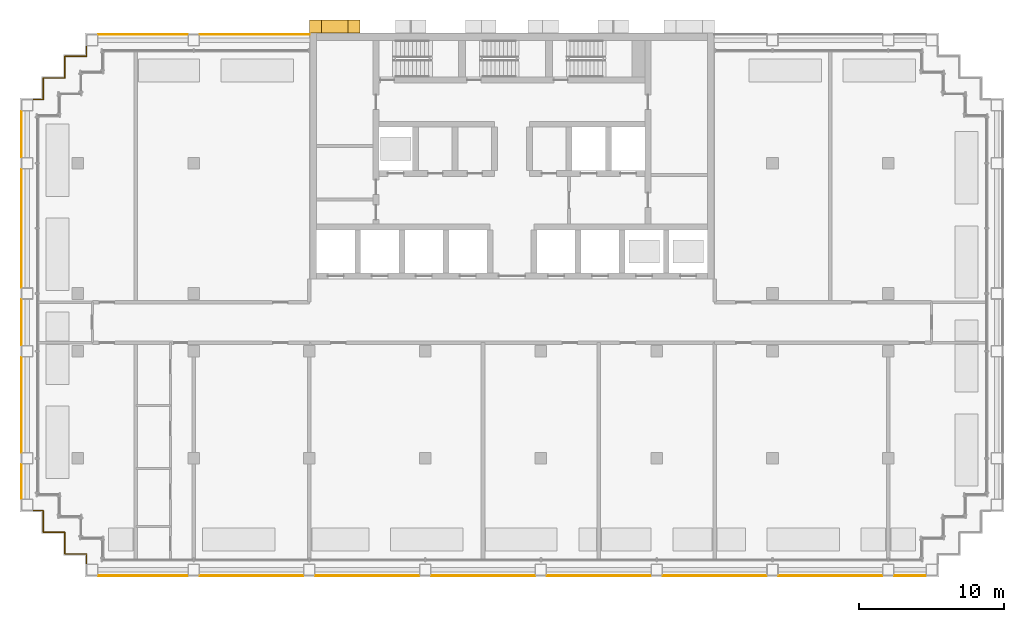
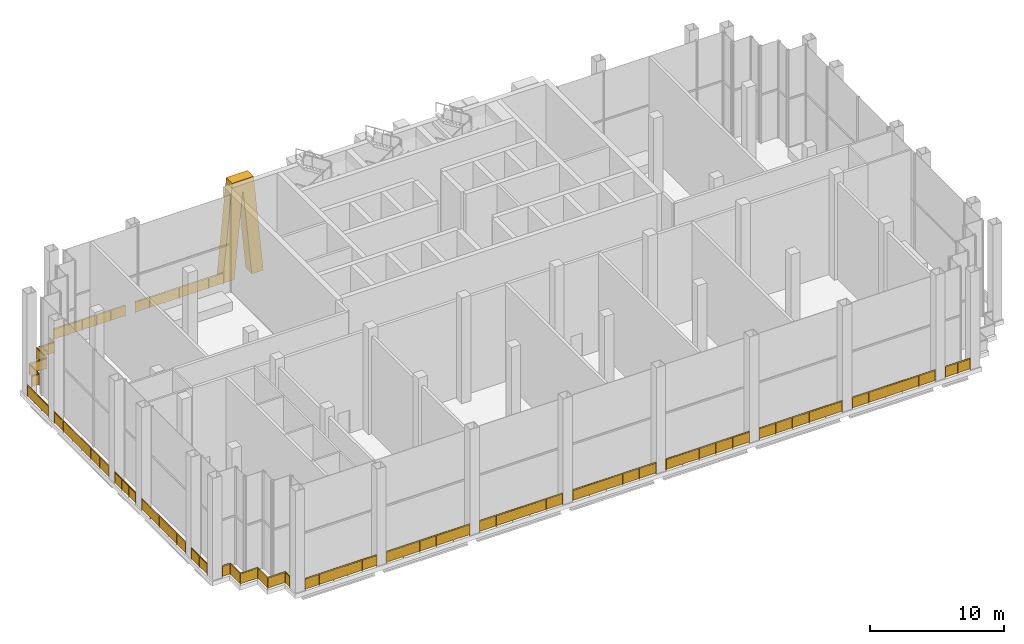
# One storey, part 12 of 16: 17 railings, 1 shading device.
"""IFC4 building model written with IfcOpenShell, lengths in metres."""

from ifc_helpers import new_model, si_unit, direction, frame, origin, origin_2d, place, context, subcontext, project, spatial, polyline, rectangle, circle, outline, extrude, material, layer, layer_set, type_object, element, save


model = new_model("IFC4")

# Units and contexts
model_context = context("Model", 3, precision=1e-05, world=origin(), true_north=direction((0.0, 1.0)))
body_context = subcontext(model_context, "Body", "Model", "MODEL_VIEW")
ifc_project = project(units=[si_unit("LENGTHUNIT", "METRE"), si_unit("AREAUNIT", "SQUARE_METRE"), si_unit("VOLUMEUNIT", "CUBIC_METRE"), si_unit("PLANEANGLEUNIT", "RADIAN"), si_unit("MASSUNIT", "GRAM", prefix="KILO")], contexts=[model_context])

# Site, building, storey
site_placement = place(None, origin())
site = spatial("IfcSite", under=ifc_project, at=site_placement, CompositionType="ELEMENT")
building_placement = place(site_placement, origin())
building = spatial("IfcBuilding", under=site, at=building_placement, Name="Vidyagriha Tower", CompositionType="ELEMENT")
storey_placement = place(building_placement, frame((0.0, 0.0, 151.800048828125)))
storey = spatial("IfcBuildingStorey", under=building, at=storey_placement, Name="L40", CompositionType="ELEMENT", Elevation=151.800048828125)

# Shading device
ifc_material_1 = material(Name="Precast concrete C40/50 with brick facing", Category="concrete")
ifc_layer = layer(ifc_material_1, 1.0)
ifc_layer_set = layer_set([ifc_layer], Name="Precast concrete C40/50 with brick facing")
shading_device_type = type_object("IfcShadingDeviceType", Name="Brick-faced rear rib forking 8 degrees", PredefinedType="USERDEFINED", material=ifc_layer_set)
shading_device_placement = place(storey_placement, frame((-10.5, 20.449951171875, 0.0), z_axis=(0.0, 0.0, 1.0), x_axis=(-1.0, 0.0, 0.0)))
element("IfcShadingDevice", 1, at=shading_device_placement, inside=storey, type_object=shading_device_type, Name="Rear rib fork L40 R08.5a", ObjectType="BLADE FIN", PredefinedType="USERDEFINED", context=body_context, shape_type="SweptSolid", body=[
    extrude(outline(polyline([(1.0, 0.0), (1.75, 7.919921875), (2.5, 0.0), (3.5, 0.0), (2.666748046875, 8.800048828125), (0.833251953125, 8.800048828125), (0.0, 0.0), (1.0, 0.0)])), frame((0.0, 0.449951171875, 0.0), z_axis=(0.0, -1.0, 0.0), x_axis=(1.0, 0.0, 0.0)), (0.0, 0.0, 1.0), 0.89990234375),
])

# Railings
ifc_material_2 = material(Name="Steel ASTM A500 Grade C black painted", Category="steel")
railing_type = type_object("IfcRailingType", Name="Gallery guard 1100", PredefinedType="GUARDRAIL", material=ifc_material_2)
railing_1_placement = place(storey_placement, frame((-33.89990234375, -12.169921875, 0.0)))
element("IfcRailing", 2, at=railing_1_placement, inside=storey, type_object=railing_type, Name="Gallery guard L40 1", PredefinedType="GUARDRAIL", context=body_context, shape_type="SweptSolid", body=[
    extrude(circle(Radius=0.02490234375, at=origin_2d()), frame((0.0, 0.0, 1.0751953125), z_axis=(0.0, 1.0, 0.0), x_axis=(-1.0, 0.0, 0.0)), (0.0, 0.0, 1.0), 2.33984375),
    extrude(circle(Radius=0.02001953125, at=origin_2d()), origin(), (0.0, 0.0, 1.0), 1.050048828125),
    extrude(circle(Radius=0.02001953125, at=origin_2d()), frame((0.0, 1.169921875, 0.0)), (0.0, 0.0, 1.0), 1.050048828125),
    extrude(circle(Radius=0.02001953125, at=origin_2d()), frame((0.0, 2.33984375, 0.0)), (0.0, 0.0, 1.0), 1.050048828125),
    extrude(rectangle(XDim=0.010009765625, YDim=0.900146484375, at=origin_2d()), frame((0.0, 0.0, 0.550048828125), z_axis=(0.0, 1.0, 0.0), x_axis=(-1.0, 0.0, 0.0)), (0.0, 0.0, 1.0), 2.33984375),
])
railing_2_placement = place(storey_placement, frame((-33.89990234375, -8.969970703125, 0.0)))
element("IfcRailing", 3, at=railing_2_placement, inside=storey, type_object=railing_type, Name="Gallery guard L40 2", PredefinedType="GUARDRAIL", context=body_context, shape_type="SweptSolid", body=[
    extrude(circle(Radius=0.02490234375, at=origin_2d()), frame((0.0, 0.0, 1.0751953125), z_axis=(0.0, 1.0, 0.0), x_axis=(-1.0, 0.0, 0.0)), (0.0, 0.0, 1.0), 6.5400390625),
    extrude(circle(Radius=0.02001953125, at=origin_2d()), origin(), (0.0, 0.0, 1.0), 1.050048828125),
    extrude(circle(Radius=0.02001953125, at=origin_2d()), frame((0.0, 1.30810546875, 0.0)), (0.0, 0.0, 1.0), 1.050048828125),
    extrude(circle(Radius=0.02001953125, at=origin_2d()), frame((0.0, 2.615966796875, 0.0)), (0.0, 0.0, 1.0), 1.050048828125),
    extrude(circle(Radius=0.02001953125, at=origin_2d()), frame((0.0, 3.924072265625, 0.0)), (0.0, 0.0, 1.0), 1.050048828125),
    extrude(circle(Radius=0.02001953125, at=origin_2d()), frame((0.0, 5.23193359375, 0.0)), (0.0, 0.0, 1.0), 1.050048828125),
    extrude(circle(Radius=0.02001953125, at=origin_2d()), frame((0.0, 6.5400390625, 0.0)), (0.0, 0.0, 1.0), 1.050048828125),
    extrude(rectangle(XDim=0.010009765625, YDim=0.900146484375, at=origin_2d()), frame((0.0, 0.0, 0.550048828125), z_axis=(0.0, 1.0, 0.0), x_axis=(-1.0, 0.0, 0.0)), (0.0, 0.0, 1.0), 6.5400390625),
])
railing_3_placement = place(storey_placement, frame((-33.89990234375, -1.570068359375, 0.0)))
element("IfcRailing", 4, at=railing_3_placement, inside=storey, type_object=railing_type, Name="Gallery guard L40 3", PredefinedType="GUARDRAIL", context=body_context, shape_type="SweptSolid", body=[
    extrude(circle(Radius=0.02490234375, at=origin_2d()), frame((0.0, 0.0, 1.0751953125), z_axis=(0.0, 1.0, 0.0), x_axis=(-1.0, 0.0, 0.0)), (0.0, 0.0, 1.0), 3.14013671875),
    extrude(circle(Radius=0.02001953125, at=origin_2d()), origin(), (0.0, 0.0, 1.0), 1.050048828125),
    extrude(circle(Radius=0.02001953125, at=origin_2d()), frame((0.0, 1.046630859375, 0.0)), (0.0, 0.0, 1.0), 1.050048828125),
    extrude(circle(Radius=0.02001953125, at=origin_2d()), frame((0.0, 2.093505859375, 0.0)), (0.0, 0.0, 1.0), 1.050048828125),
    extrude(circle(Radius=0.02001953125, at=origin_2d()), frame((0.0, 3.14013671875, 0.0)), (0.0, 0.0, 1.0), 1.050048828125),
    extrude(rectangle(XDim=0.010009765625, YDim=0.900146484375, at=origin_2d()), frame((0.0, 0.0, 0.550048828125), z_axis=(0.0, 1.0, 0.0), x_axis=(-1.0, 0.0, 0.0)), (0.0, 0.0, 1.0), 3.14013671875),
])
railing_4_placement = place(storey_placement, frame((-33.89990234375, 2.429931640625, 0.0)))
element("IfcRailing", 5, at=railing_4_placement, inside=storey, type_object=railing_type, Name="Gallery guard L40 4", PredefinedType="GUARDRAIL", context=body_context, shape_type="SweptSolid", body=[
    extrude(circle(Radius=0.02490234375, at=origin_2d()), frame((0.0, 0.0, 1.0751953125), z_axis=(0.0, 1.0, 0.0), x_axis=(-1.0, 0.0, 0.0)), (0.0, 0.0, 1.0), 8.14013671875),
    extrude(circle(Radius=0.02001953125, at=origin_2d()), origin(), (0.0, 0.0, 1.0), 1.050048828125),
    extrude(circle(Radius=0.02001953125, at=origin_2d()), frame((0.0, 1.356689453125, 0.0)), (0.0, 0.0, 1.0), 1.050048828125),
    extrude(circle(Radius=0.02001953125, at=origin_2d()), frame((0.0, 2.71337890625, 0.0)), (0.0, 0.0, 1.0), 1.050048828125),
    extrude(circle(Radius=0.02001953125, at=origin_2d()), frame((0.0, 4.070068359375, 0.0)), (0.0, 0.0, 1.0), 1.050048828125),
    extrude(circle(Radius=0.02001953125, at=origin_2d()), frame((0.0, 5.4267578125, 0.0)), (0.0, 0.0, 1.0), 1.050048828125),
    extrude(circle(Radius=0.02001953125, at=origin_2d()), frame((0.0, 6.783447265625, 0.0)), (0.0, 0.0, 1.0), 1.050048828125),
    extrude(circle(Radius=0.02001953125, at=origin_2d()), frame((0.0, 8.14013671875, 0.0)), (0.0, 0.0, 1.0), 1.050048828125),
    extrude(rectangle(XDim=0.010009765625, YDim=0.900146484375, at=origin_2d()), frame((0.0, 0.0, 0.550048828125), z_axis=(0.0, 1.0, 0.0), x_axis=(-1.0, 0.0, 0.0)), (0.0, 0.0, 1.0), 8.14013671875),
])
railing_5_placement = place(storey_placement, frame((-33.89990234375, 11.429931640625, 0.0)))
element("IfcRailing", 6, at=railing_5_placement, inside=storey, type_object=railing_type, Name="Gallery guard L40 5", PredefinedType="GUARDRAIL", context=body_context, shape_type="SweptSolid", body=[
    extrude(circle(Radius=0.02490234375, at=origin_2d()), frame((0.0, 0.0, 1.0751953125), z_axis=(0.0, 1.0, 0.0), x_axis=(-1.0, 0.0, 0.0)), (0.0, 0.0, 1.0), 3.14013671875),
    extrude(circle(Radius=0.02001953125, at=origin_2d()), origin(), (0.0, 0.0, 1.0), 1.050048828125),
    extrude(circle(Radius=0.02001953125, at=origin_2d()), frame((0.0, 1.046630859375, 0.0)), (0.0, 0.0, 1.0), 1.050048828125),
    extrude(circle(Radius=0.02001953125, at=origin_2d()), frame((0.0, 2.093505859375, 0.0)), (0.0, 0.0, 1.0), 1.050048828125),
    extrude(circle(Radius=0.02001953125, at=origin_2d()), frame((0.0, 3.14013671875, 0.0)), (0.0, 0.0, 1.0), 1.050048828125),
    extrude(rectangle(XDim=0.010009765625, YDim=0.900146484375, at=origin_2d()), frame((0.0, 0.0, 0.550048828125), z_axis=(0.0, 1.0, 0.0), x_axis=(-1.0, 0.0, 0.0)), (0.0, 0.0, 1.0), 3.14013671875),
])
railing_6_placement = place(storey_placement, frame((-29.39990234375, -16.669921875, 0.0)))
element("IfcRailing", 7, at=railing_6_placement, inside=storey, type_object=railing_type, Name="Gallery guard L40 6", PredefinedType="GUARDRAIL", context=body_context, shape_type="SweptSolid", body=[
    extrude(circle(Radius=0.02490234375, at=origin_2d()), frame((0.0, 0.0, 1.0751953125), z_axis=(0.0, 1.0, 0.0), x_axis=(-1.0, 0.0, 0.0)), (0.0, 0.0, 1.0), 0.669921875),
    extrude(circle(Radius=0.02490234375, at=origin_2d()), frame((0.0, 0.669921875, 1.0751953125), z_axis=(-1.0, 0.0, 0.0), x_axis=(0.0, -1.0, 0.0)), (0.0, 0.0, 1.0), 1.5),
    extrude(circle(Radius=0.02490234375, at=origin_2d()), frame((-1.5, 0.669921875, 1.0751953125), z_axis=(0.0, 1.0, 0.0), x_axis=(-1.0, 0.0, 0.0)), (0.0, 0.0, 1.0), 1.5),
    extrude(circle(Radius=0.02490234375, at=origin_2d()), frame((-1.5, 2.169921875, 1.0751953125), z_axis=(-1.0, 0.0, 0.0), x_axis=(0.0, -1.0, 0.0)), (0.0, 0.0, 1.0), 1.5),
    extrude(circle(Radius=0.02490234375, at=origin_2d()), frame((-3.0, 2.169921875, 1.0751953125), z_axis=(0.0, 1.0, 0.0), x_axis=(-1.0, 0.0, 0.0)), (0.0, 0.0, 1.0), 1.5),
    extrude(circle(Radius=0.02490234375, at=origin_2d()), frame((-3.0, 3.669921875, 1.0751953125), z_axis=(-1.0, 0.0, 0.0), x_axis=(0.0, -1.0, 0.0)), (0.0, 0.0, 1.0), 0.670166015625),
    extrude(circle(Radius=0.02001953125, at=origin_2d()), origin(), (0.0, 0.0, 1.0), 1.050048828125),
    extrude(circle(Radius=0.02001953125, at=origin_2d()), frame((0.0, 0.669921875, 0.0)), (0.0, 0.0, 1.0), 1.050048828125),
    extrude(circle(Radius=0.02001953125, at=origin_2d()), frame((-1.5, 0.669921875, 0.0)), (0.0, 0.0, 1.0), 1.050048828125),
    extrude(circle(Radius=0.02001953125, at=origin_2d()), frame((-1.5, 2.169921875, 0.0)), (0.0, 0.0, 1.0), 1.050048828125),
    extrude(circle(Radius=0.02001953125, at=origin_2d()), frame((-3.0, 2.169921875, 0.0)), (0.0, 0.0, 1.0), 1.050048828125),
    extrude(circle(Radius=0.02001953125, at=origin_2d()), frame((-3.0, 3.669921875, 0.0)), (0.0, 0.0, 1.0), 1.050048828125),
    extrude(circle(Radius=0.02001953125, at=origin_2d()), frame((-3.670166015625, 3.669921875, 0.0)), (0.0, 0.0, 1.0), 1.050048828125),
    extrude(rectangle(XDim=0.010009765625, YDim=0.900146484375, at=origin_2d()), frame((0.0, 0.0, 0.550048828125), z_axis=(0.0, 1.0, 0.0), x_axis=(-1.0, 0.0, 0.0)), (0.0, 0.0, 1.0), 0.669921875),
    extrude(rectangle(XDim=0.010009765625, YDim=0.900146484375, at=origin_2d()), frame((0.0, 0.669921875, 0.550048828125), z_axis=(-1.0, 0.0, 0.0), x_axis=(0.0, -1.0, 0.0)), (0.0, 0.0, 1.0), 1.5),
    extrude(rectangle(XDim=0.010009765625, YDim=0.900146484375, at=origin_2d()), frame((-1.5, 0.669921875, 0.550048828125), z_axis=(0.0, 1.0, 0.0), x_axis=(-1.0, 0.0, 0.0)), (0.0, 0.0, 1.0), 1.5),
    extrude(rectangle(XDim=0.010009765625, YDim=0.900146484375, at=origin_2d()), frame((-1.5, 2.169921875, 0.550048828125), z_axis=(-1.0, 0.0, 0.0), x_axis=(0.0, -1.0, 0.0)), (0.0, 0.0, 1.0), 1.5),
    extrude(rectangle(XDim=0.010009765625, YDim=0.900146484375, at=origin_2d()), frame((-3.0, 2.169921875, 0.550048828125), z_axis=(0.0, 1.0, 0.0), x_axis=(-1.0, 0.0, 0.0)), (0.0, 0.0, 1.0), 1.5),
    extrude(rectangle(XDim=0.010009765625, YDim=0.900146484375, at=origin_2d()), frame((-3.0, 3.669921875, 0.550048828125), z_axis=(-1.0, 0.0, 0.0), x_axis=(0.0, -1.0, 0.0)), (0.0, 0.0, 1.0), 0.670166015625),
])
railing_7_placement = place(storey_placement, frame((-33.070068359375, 15.39990234375, 0.0)))
element("IfcRailing", 8, at=railing_7_placement, inside=storey, type_object=railing_type, Name="Gallery guard L40 7", PredefinedType="GUARDRAIL", context=body_context, shape_type="SweptSolid", body=[
    extrude(circle(Radius=0.02490234375, at=origin_2d()), frame((0.0, 0.0, 1.0751953125), z_axis=(1.0, 0.0, 0.0), x_axis=(0.0, 1.0, 0.0)), (0.0, 0.0, 1.0), 0.670166015625),
    extrude(circle(Radius=0.02490234375, at=origin_2d()), frame((0.670166015625, 0.0, 1.0751953125), z_axis=(0.0, 1.0, 0.0), x_axis=(-1.0, 0.0, 0.0)), (0.0, 0.0, 1.0), 1.5),
    extrude(circle(Radius=0.02490234375, at=origin_2d()), frame((0.670166015625, 1.5, 1.0751953125), z_axis=(1.0, 0.0, 0.0), x_axis=(0.0, 1.0, 0.0)), (0.0, 0.0, 1.0), 1.5),
    extrude(circle(Radius=0.02490234375, at=origin_2d()), frame((2.170166015625, 1.5, 1.0751953125), z_axis=(0.0, 1.0, 0.0), x_axis=(-1.0, 0.0, 0.0)), (0.0, 0.0, 1.0), 1.5),
    extrude(circle(Radius=0.02490234375, at=origin_2d()), frame((2.170166015625, 3.0, 1.0751953125), z_axis=(1.0, 0.0, 0.0), x_axis=(0.0, 1.0, 0.0)), (0.0, 0.0, 1.0), 1.5),
    extrude(circle(Radius=0.02490234375, at=origin_2d()), frame((3.670166015625, 3.0, 1.0751953125), z_axis=(0.0, 1.0, 0.0), x_axis=(-1.0, 0.0, 0.0)), (0.0, 0.0, 1.0), 0.670166015625),
    extrude(circle(Radius=0.02001953125, at=origin_2d()), origin(), (0.0, 0.0, 1.0), 1.050048828125),
    extrude(circle(Radius=0.02001953125, at=origin_2d()), frame((0.670166015625, 0.0, 0.0)), (0.0, 0.0, 1.0), 1.050048828125),
    extrude(circle(Radius=0.02001953125, at=origin_2d()), frame((0.670166015625, 1.5, 0.0)), (0.0, 0.0, 1.0), 1.050048828125),
    extrude(circle(Radius=0.02001953125, at=origin_2d()), frame((2.170166015625, 1.5, 0.0)), (0.0, 0.0, 1.0), 1.050048828125),
    extrude(circle(Radius=0.02001953125, at=origin_2d()), frame((2.170166015625, 3.0, 0.0)), (0.0, 0.0, 1.0), 1.050048828125),
    extrude(circle(Radius=0.02001953125, at=origin_2d()), frame((3.670166015625, 3.0, 0.0)), (0.0, 0.0, 1.0), 1.050048828125),
    extrude(circle(Radius=0.02001953125, at=origin_2d()), frame((3.670166015625, 3.670166015625, 0.0)), (0.0, 0.0, 1.0), 1.050048828125),
    extrude(rectangle(XDim=0.010009765625, YDim=0.900146484375, at=origin_2d()), frame((0.0, 0.0, 0.550048828125), z_axis=(1.0, 0.0, 0.0), x_axis=(0.0, 1.0, 0.0)), (0.0, 0.0, 1.0), 0.670166015625),
    extrude(rectangle(XDim=0.010009765625, YDim=0.900146484375, at=origin_2d()), frame((0.670166015625, 0.0, 0.550048828125), z_axis=(0.0, 1.0, 0.0), x_axis=(-1.0, 0.0, 0.0)), (0.0, 0.0, 1.0), 1.5),
    extrude(rectangle(XDim=0.010009765625, YDim=0.900146484375, at=origin_2d()), frame((0.670166015625, 1.5, 0.550048828125), z_axis=(1.0, 0.0, 0.0), x_axis=(0.0, 1.0, 0.0)), (0.0, 0.0, 1.0), 1.5),
    extrude(rectangle(XDim=0.010009765625, YDim=0.900146484375, at=origin_2d()), frame((2.170166015625, 1.5, 0.550048828125), z_axis=(0.0, 1.0, 0.0), x_axis=(-1.0, 0.0, 0.0)), (0.0, 0.0, 1.0), 1.5),
    extrude(rectangle(XDim=0.010009765625, YDim=0.900146484375, at=origin_2d()), frame((2.170166015625, 3.0, 0.550048828125), z_axis=(1.0, 0.0, 0.0), x_axis=(0.0, 1.0, 0.0)), (0.0, 0.0, 1.0), 1.5),
    extrude(rectangle(XDim=0.010009765625, YDim=0.900146484375, at=origin_2d()), frame((3.670166015625, 3.0, 0.550048828125), z_axis=(0.0, 1.0, 0.0), x_axis=(-1.0, 0.0, 0.0)), (0.0, 0.0, 1.0), 0.670166015625),
])
railing_8_placement = place(storey_placement, frame((-22.429931640625, -17.5, 0.0)))
element("IfcRailing", 9, at=railing_8_placement, inside=storey, type_object=railing_type, Name="Gallery guard L40 8", PredefinedType="GUARDRAIL", context=body_context, shape_type="SweptSolid", body=[
    extrude(circle(Radius=0.02490234375, at=origin_2d()), frame((0.0, 0.0, 1.0751953125), z_axis=(-1.0, 0.0, 0.0), x_axis=(0.0, -1.0, 0.0)), (0.0, 0.0, 1.0), 6.14013671875),
    extrude(circle(Radius=0.02001953125, at=origin_2d()), origin(), (0.0, 0.0, 1.0), 1.050048828125),
    extrude(circle(Radius=0.02001953125, at=origin_2d()), frame((-1.22802734375, 0.0, 0.0)), (0.0, 0.0, 1.0), 1.050048828125),
    extrude(circle(Radius=0.02001953125, at=origin_2d()), frame((-2.4560546875, 0.0, 0.0)), (0.0, 0.0, 1.0), 1.050048828125),
    extrude(circle(Radius=0.02001953125, at=origin_2d()), frame((-3.68408203125, 0.0, 0.0)), (0.0, 0.0, 1.0), 1.050048828125),
    extrude(circle(Radius=0.02001953125, at=origin_2d()), frame((-4.912109375, 0.0, 0.0)), (0.0, 0.0, 1.0), 1.050048828125),
    extrude(circle(Radius=0.02001953125, at=origin_2d()), frame((-6.14013671875, 0.0, 0.0)), (0.0, 0.0, 1.0), 1.050048828125),
    extrude(rectangle(XDim=0.010009765625, YDim=0.900146484375, at=origin_2d()), frame((0.0, 0.0, 0.550048828125), z_axis=(-1.0, 0.0, 0.0), x_axis=(0.0, -1.0, 0.0)), (0.0, 0.0, 1.0), 6.14013671875),
])
railing_9_placement = place(storey_placement, frame((-28.570068359375, 19.89990234375, 0.0)))
element("IfcRailing", 10, at=railing_9_placement, inside=storey, type_object=railing_type, Name="Gallery guard L40 9", PredefinedType="GUARDRAIL", context=body_context, shape_type="SweptSolid", body=[
    extrude(circle(Radius=0.02490234375, at=origin_2d()), frame((0.0, 0.0, 1.0751953125), z_axis=(1.0, 0.0, 0.0), x_axis=(0.0, 1.0, 0.0)), (0.0, 0.0, 1.0), 6.14013671875),
    extrude(circle(Radius=0.02001953125, at=origin_2d()), origin(), (0.0, 0.0, 1.0), 1.050048828125),
    extrude(circle(Radius=0.02001953125, at=origin_2d()), frame((1.22802734375, 0.0, 0.0)), (0.0, 0.0, 1.0), 1.050048828125),
    extrude(circle(Radius=0.02001953125, at=origin_2d()), frame((2.4560546875, 0.0, 0.0)), (0.0, 0.0, 1.0), 1.050048828125),
    extrude(circle(Radius=0.02001953125, at=origin_2d()), frame((3.68408203125, 0.0, 0.0)), (0.0, 0.0, 1.0), 1.050048828125),
    extrude(circle(Radius=0.02001953125, at=origin_2d()), frame((4.912109375, 0.0, 0.0)), (0.0, 0.0, 1.0), 1.050048828125),
    extrude(circle(Radius=0.02001953125, at=origin_2d()), frame((6.14013671875, 0.0, 0.0)), (0.0, 0.0, 1.0), 1.050048828125),
    extrude(rectangle(XDim=0.010009765625, YDim=0.900146484375, at=origin_2d()), frame((0.0, 0.0, 0.550048828125), z_axis=(1.0, 0.0, 0.0), x_axis=(0.0, 1.0, 0.0)), (0.0, 0.0, 1.0), 6.14013671875),
])
railing_10_placement = place(storey_placement, frame((-14.429931640625, -17.5, 0.0)))
element("IfcRailing", 11, at=railing_10_placement, inside=storey, type_object=railing_type, Name="Gallery guard L40 10", PredefinedType="GUARDRAIL", context=body_context, shape_type="SweptSolid", body=[
    extrude(circle(Radius=0.02490234375, at=origin_2d()), frame((0.0, 0.0, 1.0751953125), z_axis=(-1.0, 0.0, 0.0), x_axis=(0.0, -1.0, 0.0)), (0.0, 0.0, 1.0), 7.14013671875),
    extrude(circle(Radius=0.02001953125, at=origin_2d()), origin(), (0.0, 0.0, 1.0), 1.050048828125),
    extrude(circle(Radius=0.02001953125, at=origin_2d()), frame((-1.427978515625, 0.0, 0.0)), (0.0, 0.0, 1.0), 1.050048828125),
    extrude(circle(Radius=0.02001953125, at=origin_2d()), frame((-2.85595703125, 0.0, 0.0)), (0.0, 0.0, 1.0), 1.050048828125),
    extrude(circle(Radius=0.02001953125, at=origin_2d()), frame((-4.2841796875, 0.0, 0.0)), (0.0, 0.0, 1.0), 1.050048828125),
    extrude(circle(Radius=0.02001953125, at=origin_2d()), frame((-5.712158203125, 0.0, 0.0)), (0.0, 0.0, 1.0), 1.050048828125),
    extrude(circle(Radius=0.02001953125, at=origin_2d()), frame((-7.14013671875, 0.0, 0.0)), (0.0, 0.0, 1.0), 1.050048828125),
    extrude(rectangle(XDim=0.010009765625, YDim=0.900146484375, at=origin_2d()), frame((0.0, 0.0, 0.550048828125), z_axis=(-1.0, 0.0, 0.0), x_axis=(0.0, -1.0, 0.0)), (0.0, 0.0, 1.0), 7.14013671875),
])
railing_11_placement = place(storey_placement, frame((-21.570068359375, 19.89990234375, 0.0)))
element("IfcRailing", 12, at=railing_11_placement, inside=storey, type_object=railing_type, Name="Gallery guard L40 11", PredefinedType="GUARDRAIL", context=body_context, shape_type="SweptSolid", body=[
    extrude(circle(Radius=0.02490234375, at=origin_2d()), frame((0.0, 0.0, 1.0751953125), z_axis=(1.0, 0.0, 0.0), x_axis=(0.0, 1.0, 0.0)), (0.0, 0.0, 1.0), 7.590087890625),
    extrude(circle(Radius=0.02001953125, at=origin_2d()), origin(), (0.0, 0.0, 1.0), 1.050048828125),
    extrude(circle(Radius=0.02001953125, at=origin_2d()), frame((1.26513671875, 0.0, 0.0)), (0.0, 0.0, 1.0), 1.050048828125),
    extrude(circle(Radius=0.02001953125, at=origin_2d()), frame((2.530029296875, 0.0, 0.0)), (0.0, 0.0, 1.0), 1.050048828125),
    extrude(circle(Radius=0.02001953125, at=origin_2d()), frame((3.794921875, 0.0, 0.0)), (0.0, 0.0, 1.0), 1.050048828125),
    extrude(circle(Radius=0.02001953125, at=origin_2d()), frame((5.06005859375, 0.0, 0.0)), (0.0, 0.0, 1.0), 1.050048828125),
    extrude(circle(Radius=0.02001953125, at=origin_2d()), frame((6.3251953125, 0.0, 0.0)), (0.0, 0.0, 1.0), 1.050048828125),
    extrude(circle(Radius=0.02001953125, at=origin_2d()), frame((7.590087890625, 0.0, 0.0)), (0.0, 0.0, 1.0), 1.050048828125),
    extrude(rectangle(XDim=0.010009765625, YDim=0.900146484375, at=origin_2d()), frame((0.0, 0.0, 0.550048828125), z_axis=(1.0, 0.0, 0.0), x_axis=(0.0, 1.0, 0.0)), (0.0, 0.0, 1.0), 7.590087890625),
])
for number, where, name in (
    (13, (-6.429931640625, -17.5, 0.0), "Gallery guard L40 12"),
    (14, (1.570068359375, -17.5, 0.0), "Gallery guard L40 13"),
    (15, (9.570068359375, -17.5, 0.0), "Gallery guard L40 14"),
    (16, (17.570068359375, -17.5, 0.0), "Gallery guard L40 15"),
    (17, (25.570068359375, -17.5, 0.0), "Gallery guard L40 17"),
):
    element("IfcRailing", number, at=place(storey_placement, frame(where)), inside=storey, type_object=railing_type, Name=name, PredefinedType="GUARDRAIL", context=body_context, shape_type="SweptSolid", body=[
        extrude(circle(Radius=0.02490234375, at=origin_2d()), frame((0.0, 0.0, 1.0751953125), z_axis=(-1.0, 0.0, 0.0), x_axis=(0.0, -1.0, 0.0)), (0.0, 0.0, 1.0), 7.14013671875),
        extrude(circle(Radius=0.02001953125, at=origin_2d()), origin(), (0.0, 0.0, 1.0), 1.050048828125),
        extrude(circle(Radius=0.02001953125, at=origin_2d()), frame((-1.427978515625, 0.0, 0.0)), (0.0, 0.0, 1.0), 1.050048828125),
        extrude(circle(Radius=0.02001953125, at=origin_2d()), frame((-2.85595703125, 0.0, 0.0)), (0.0, 0.0, 1.0), 1.050048828125),
        extrude(circle(Radius=0.02001953125, at=origin_2d()), frame((-4.2841796875, 0.0, 0.0)), (0.0, 0.0, 1.0), 1.050048828125),
        extrude(circle(Radius=0.02001953125, at=origin_2d()), frame((-5.712158203125, 0.0, 0.0)), (0.0, 0.0, 1.0), 1.050048828125),
        extrude(circle(Radius=0.02001953125, at=origin_2d()), frame((-7.14013671875, 0.0, 0.0)), (0.0, 0.0, 1.0), 1.050048828125),
        extrude(rectangle(XDim=0.010009765625, YDim=0.900146484375, at=origin_2d()), frame((0.0, 0.0, 0.550048828125), z_axis=(-1.0, 0.0, 0.0), x_axis=(0.0, -1.0, 0.0)), (0.0, 0.0, 1.0), 7.14013671875),
    ])
railing_12_placement = place(storey_placement, frame((28.570068359375, -17.5, 0.0)))
element("IfcRailing", 18, at=railing_12_placement, inside=storey, type_object=railing_type, Name="Gallery guard L40 19", PredefinedType="GUARDRAIL", context=body_context, shape_type="SweptSolid", body=[
    extrude(circle(Radius=0.02490234375, at=origin_2d()), frame((0.0, 0.0, 1.0751953125), z_axis=(-1.0, 0.0, 0.0), x_axis=(0.0, -1.0, 0.0)), (0.0, 0.0, 1.0), 2.14013671875),
    extrude(circle(Radius=0.02001953125, at=origin_2d()), origin(), (0.0, 0.0, 1.0), 1.050048828125),
    extrude(circle(Radius=0.02001953125, at=origin_2d()), frame((-1.070068359375, 0.0, 0.0)), (0.0, 0.0, 1.0), 1.050048828125),
    extrude(circle(Radius=0.02001953125, at=origin_2d()), frame((-2.14013671875, 0.0, 0.0)), (0.0, 0.0, 1.0), 1.050048828125),
    extrude(rectangle(XDim=0.010009765625, YDim=0.900146484375, at=origin_2d()), frame((0.0, 0.0, 0.550048828125), z_axis=(-1.0, 0.0, 0.0), x_axis=(0.0, -1.0, 0.0)), (0.0, 0.0, 1.0), 2.14013671875),
])

save(model, "model.ifc")
